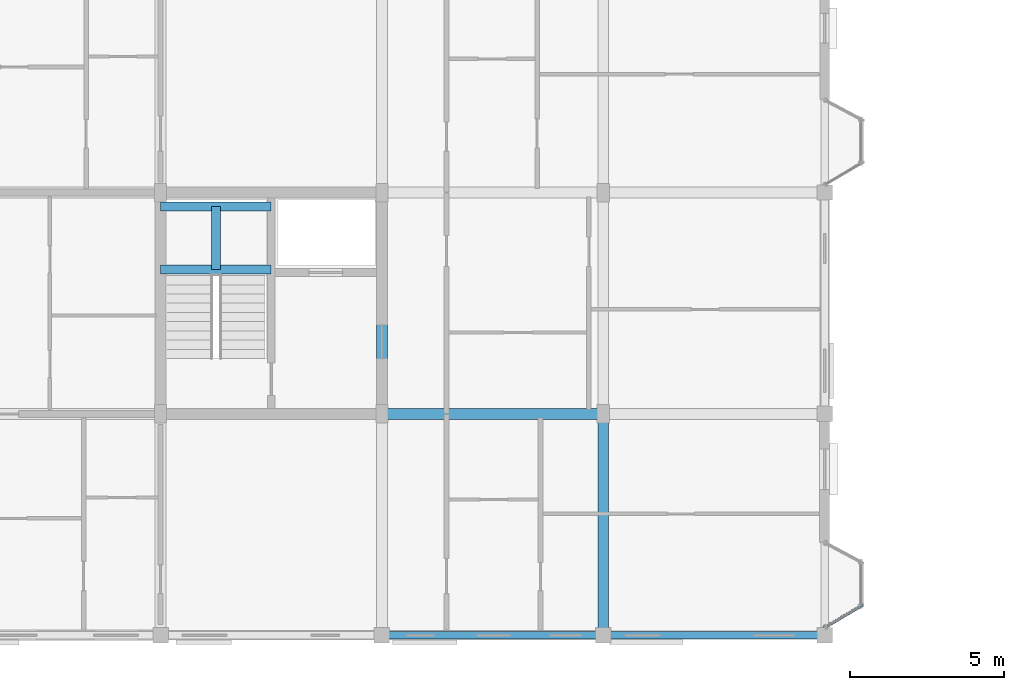
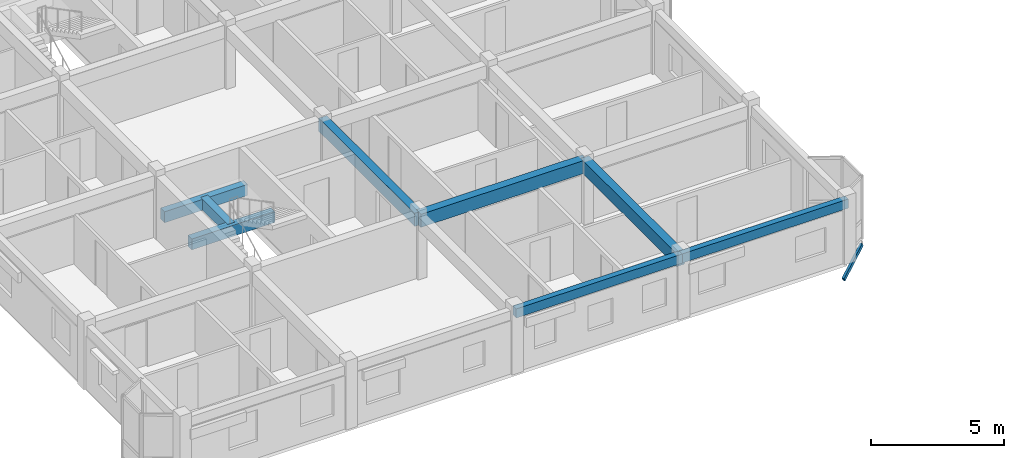
# One storey, part 6 of 70: 8 beams, 1 member.
"""IFC4 building model written with IfcOpenShell, lengths in metres."""

from ifc_helpers import new_model, si_unit, direction, frame, origin, origin_2d, place, context, subcontext, project, spatial, rectangle, hollow_rectangle, extrude, material, material_profile, profile_set, type_object, element, save


model = new_model("IFC4")

# Units and contexts
model_context = context("Model", 3, precision=1e-05, world=origin(), true_north=direction((0.0, 1.0)))
body_context = subcontext(model_context, "Body", "Model", "MODEL_VIEW")
ifc_project = project(units=[si_unit("LENGTHUNIT", "METRE"), si_unit("AREAUNIT", "SQUARE_METRE"), si_unit("VOLUMEUNIT", "CUBIC_METRE"), si_unit("PLANEANGLEUNIT", "RADIAN"), si_unit("MASSUNIT", "GRAM", prefix="KILO"), si_unit("THERMODYNAMICTEMPERATUREUNIT", "KELVIN"), si_unit("POWERUNIT", "WATT")], contexts=[model_context])

# Site, building, storey
site_placement = place(None, origin())
site = spatial("IfcSite", under=ifc_project, at=site_placement, CompositionType="ELEMENT")
building_placement = place(site_placement, origin())
building = spatial("IfcBuilding", under=site, at=building_placement, Name="Tavuni Mirador Residences", CompositionType="ELEMENT")
storey_placement = place(building_placement, frame((0.0, 0.0, 23.39990234375)))
storey = spatial("IfcBuildingStorey", under=building, at=storey_placement, Name="L07", CompositionType="ELEMENT", Elevation=23.39990234375)

# Beams
ifc_material_1 = material(Name="Precast concrete C40/50", Category="concrete")
ifc_material_profile_1 = material_profile(ifc_material_1, rectangle(XDim=0.300048828125, YDim=0.5, at=origin_2d()), Name="PC 300x500", Category="concrete")
ifc_profile_set_1 = profile_set([ifc_material_profile_1], Name="Precast concrete C40/50")
beam_type_1 = type_object("IfcBeamType", Name="BT-B500", PredefinedType="BEAM", material=ifc_profile_set_1)
for number, where, z_axis, x_axis, name in (
    (1, (10.800048828125, 19.10009765625, 1.14501953125), (1.0, 0.0, 0.0), (0.0, 1.0, 0.0), "HLB1-C1-L07"),
    (2, (10.800048828125, 21.14990234375, 1.14501953125), (1.0, 0.0, 0.0), (0.0, 1.0, 0.0), "HLB2-C1-L07"),
):
    element("IfcBeam", number, at=place(storey_placement, frame(where, z_axis=z_axis, x_axis=x_axis)), inside=storey, type_object=beam_type_1, Name=name, PredefinedType="BEAM", context=body_context, shape_type="SweptSolid", body=[
        extrude(rectangle(XDim=0.300048828125, YDim=0.5, at=origin_2d()), origin(), (0.0, 0.0, 1.0), 3.599853515625),
    ])
beam_1_placement = place(storey_placement, frame((12.60009765625, 19.10009765625, 1.14501953125), z_axis=(0.0, 1.0, 0.0), x_axis=(-1.0, 0.0, 0.0)))
element("IfcBeam", 3, at=beam_1_placement, inside=storey, type_object=beam_type_1, Name="HLB3-C1-L07", PredefinedType="BEAM", context=body_context, shape_type="SweptSolid", body=[
    extrude(rectangle(XDim=0.300048828125, YDim=0.5, at=origin_2d()), origin(), (0.0, 0.0, 1.0), 2.0498046875),
])
ifc_material_profile_2 = material_profile(ifc_material_1, rectangle(XDim=0.35009765625, YDim=0.60009765625, at=origin_2d()), Name="PC 350x600", Category="concrete")
ifc_profile_set_2 = profile_set([ifc_material_profile_2], Name="Precast concrete C40/50")
beam_type_2 = type_object("IfcBeamType", Name="BT-B600", PredefinedType="BEAM", material=ifc_profile_set_2)
beam_2_placement = place(storey_placement, frame((18.0, 14.39990234375, 2.570068359375), z_axis=(1.0, 0.0, 0.0), x_axis=(0.0, 1.0, 0.0)))
element("IfcBeam", 4, at=beam_2_placement, inside=storey, type_object=beam_type_2, Name="BMX-BLK-A-L07-02-01", PredefinedType="BEAM", context=body_context, shape_type="SweptSolid", body=[
    extrude(rectangle(XDim=0.35009765625, YDim=0.60009765625, at=origin_2d()), origin(), (0.0, 0.0, 1.0), 7.199951171875),
])
beam_3_placement = place(storey_placement, frame((18.0, 14.39990234375, 2.570068359375), z_axis=(0.0, 1.0, 0.0), x_axis=(-1.0, 0.0, 0.0)))
element("IfcBeam", 5, at=beam_3_placement, inside=storey, type_object=beam_type_2, Name="BMY-BLK-A-L07-02-01", PredefinedType="BEAM", context=body_context, shape_type="SweptSolid", body=[
    extrude(rectangle(XDim=0.35009765625, YDim=0.60009765625, at=origin_2d()), origin(), (0.0, 0.0, 1.0), 7.2001953125),
])
beam_4_placement = place(storey_placement, frame((25.199951171875, 7.199951171875, 2.570068359375), z_axis=(0.0, 1.0, 0.0), x_axis=(-1.0, 0.0, 0.0)))
element("IfcBeam", 6, at=beam_4_placement, inside=storey, type_object=beam_type_2, Name="BMY-BLK-A-L07-03-00", PredefinedType="BEAM", context=body_context, shape_type="SweptSolid", body=[
    extrude(rectangle(XDim=0.35009765625, YDim=0.60009765625, at=origin_2d()), origin(), (0.0, 0.0, 1.0), 7.199951171875),
])
ifc_material_profile_3 = material_profile(ifc_material_1, rectangle(XDim=0.25, YDim=0.419921875, at=origin_2d()), Name="PC 250x420", Category="concrete")
ifc_profile_set_3 = profile_set([ifc_material_profile_3], Name="Precast concrete C40/50")
beam_type_3 = type_object("IfcBeamType", Name="BT-SP420", PredefinedType="SPANDREL", material=ifc_profile_set_3)
for number, where, z_axis, x_axis, name in (
    (7, (18.0, 7.199951171875, 2.66015625), (1.0, 0.0, 0.0), (0.0, 1.0, 0.0), "BMX-BLK-A-L07-02-00"),
    (8, (25.199951171875, 7.199951171875, 2.66015625), (1.0, 0.0, 0.0), (0.0, 1.0, 0.0), "BMX-BLK-A-L07-03-00"),
):
    element("IfcBeam", number, at=place(storey_placement, frame(where, z_axis=z_axis, x_axis=x_axis)), inside=storey, type_object=beam_type_3, Name=name, PredefinedType="SPANDREL", context=body_context, shape_type="SweptSolid", body=[
        extrude(rectangle(XDim=0.25, YDim=0.419921875, at=origin_2d()), origin(), (0.0, 0.0, 1.0), 7.199951171875),
    ])

# Member
ifc_material_2 = material(Name="Structural steel S355", Category="steel")
ifc_material_profile_4 = material_profile(ifc_material_2, hollow_rectangle(XDim=0.10009765625, YDim=0.179931640625, WallThickness=0.008056640625, at=origin_2d()), Name="RHS 180x100x8.0", Category="steel")
ifc_profile_set_4 = profile_set([ifc_material_profile_4], Name="Structural steel S355")
member_type = type_object("IfcMemberType", Name="MT-BR-RHS180", PredefinedType="BRACE", material=ifc_profile_set_4)
member_placement = place(storey_placement, frame((32.39990234375, 7.449951171875, -1.0498046875), z_axis=(0.753448798133, 0.445693471312, 0.48339656414), x_axis=(-0.50913035723, 0.860689420957, 0.0)))
element("IfcMember", 9, at=member_placement, inside=storey, type_object=member_type, Name="MBRK-MIR-A-E1-L07-1", PredefinedType="BRACE", context=body_context, shape_type="SweptSolid", body=[
    extrude(hollow_rectangle(XDim=0.10009765625, YDim=0.179931640625, WallThickness=0.008056640625, at=origin_2d()), origin(), (0.0, 0.0, 1.0), 1.593017578125),
])

save(model, "model.ifc")
